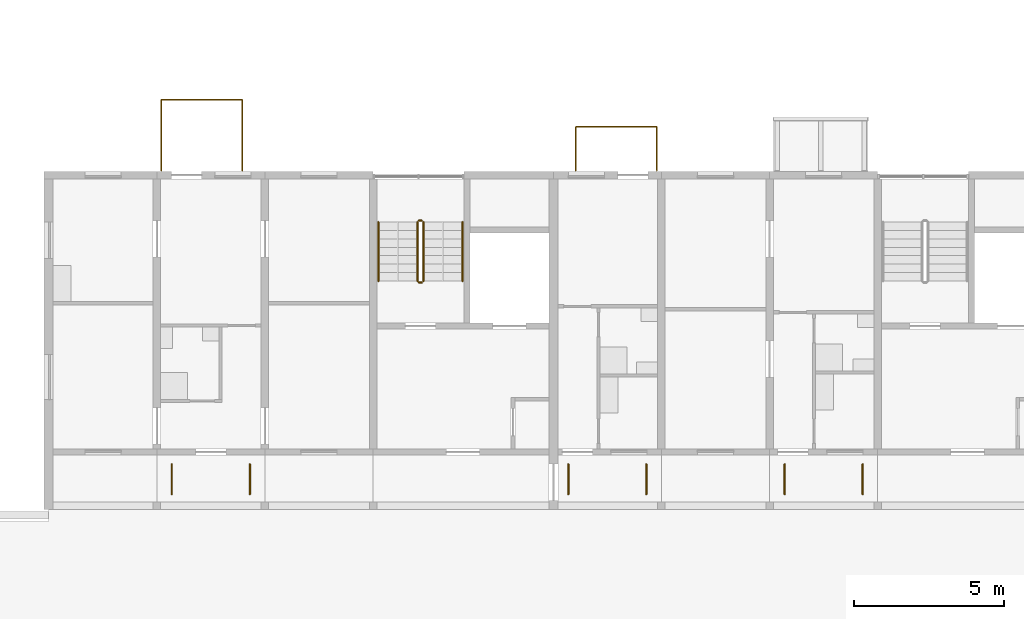
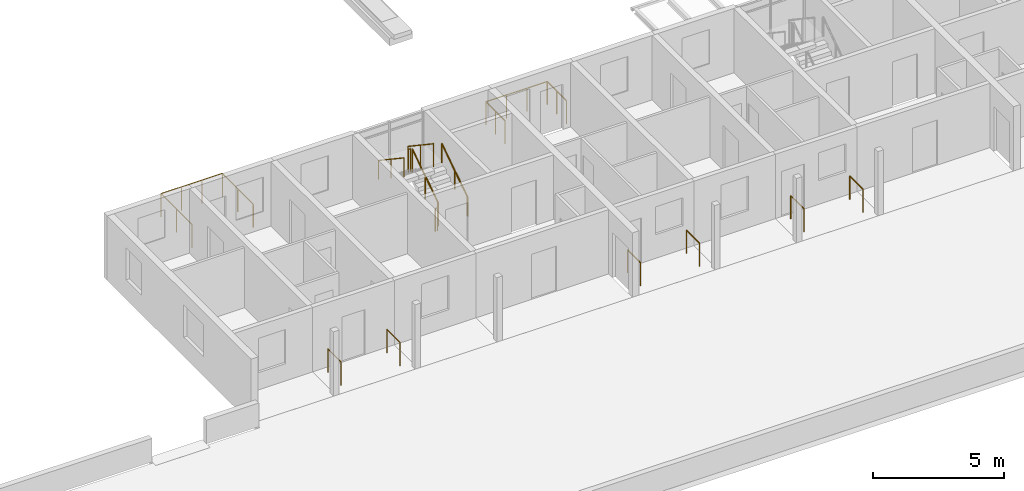
# One storey, part 93 of 115: 14 railings.
"""IFC4 building model written with IfcOpenShell, lengths in metres."""

from ifc_helpers import new_model, si_unit, direction, frame, origin, origin_2d, place, context, subcontext, project, spatial, circle, extrude, material, type_object, element, save


model = new_model("IFC4")

# Units and contexts
model_context = context("Model", 3, precision=1e-05, world=origin(), true_north=direction((0.0, 1.0)))
body_context = subcontext(model_context, "Body", "Model", "MODEL_VIEW")
ifc_project = project(units=[si_unit("LENGTHUNIT", "METRE"), si_unit("AREAUNIT", "SQUARE_METRE"), si_unit("VOLUMEUNIT", "CUBIC_METRE"), si_unit("PLANEANGLEUNIT", "RADIAN"), si_unit("MASSUNIT", "GRAM", prefix="KILO")], contexts=[model_context])

# Site, building, storey
site_placement = place(None, origin())
site = spatial("IfcSite", under=ifc_project, at=site_placement, CompositionType="ELEMENT")
building_placement = place(site_placement, origin())
building = spatial("IfcBuilding", under=site, at=building_placement, Name="Ridgestep Commons", CompositionType="ELEMENT")
storey_placement = place(building_placement, frame((0.0, 0.0, 6.0)))
storey = spatial("IfcBuildingStorey", under=building, at=storey_placement, Name="L02", CompositionType="ELEMENT", Elevation=6.0)

# Railings
ifc_material_1 = material(Name="Structural steel S355JR", Category="steel")
railing_type_1 = type_object("IfcRailingType", Name="Guard 1100", PredefinedType="GUARDRAIL", material=ifc_material_1)
for number, where, name in (
    (1, (16.10009765625, 12.25, 0.0), "Gallery side guard A 02.2W"),
    (2, (18.699951171875, 12.25, 0.0), "Gallery side guard A 02.2E"),
    (3, (29.300048828125, 12.25, 0.0), "Gallery side guard A 02.5W"),
    (4, (31.89990234375, 12.25, 0.0), "Gallery side guard A 02.5E"),
    (5, (36.5, 12.25, 0.0), "Gallery side guard A 02.7W"),
    (6, (39.10009765625, 12.25, 0.0), "Gallery side guard A 02.7E"),
):
    element("IfcRailing", number, at=place(storey_placement, frame(where)), inside=storey, type_object=railing_type_1, Name=name, PredefinedType="GUARDRAIL", context=body_context, shape_type="SweptSolid", body=[
        extrude(circle(Radius=0.02392578125, at=origin_2d()), frame((0.0, 0.0, 1.076171875), z_axis=(0.0, 1.0, 0.0), x_axis=(-1.0, 0.0, 0.0)), (0.0, 0.0, 1.0), 1.0),
        extrude(circle(Radius=0.02099609375, at=origin_2d()), origin(), (0.0, 0.0, 1.0), 1.052001953125),
        extrude(circle(Radius=0.02099609375, at=origin_2d()), frame((0.0, 1.0, 0.0)), (0.0, 0.0, 1.0), 1.052001953125),
    ])
ifc_material_2 = material(Name="Structural steel S355JR", Category="steel")
railing_type_2 = type_object("IfcRailingType", Name="Stair guard 1100", PredefinedType="GUARDRAIL", material=ifc_material_2)
railing_1_placement = place(storey_placement, frame((24.47509765625, 19.35009765625, 0.1875)))
element("IfcRailing", 7, at=railing_1_placement, inside=storey, type_object=railing_type_2, Name="L02 A1C stair guard 1", PredefinedType="GUARDRAIL", context=body_context, shape_type="SweptSolid", body=[
    extrude(circle(Radius=0.02392578125, at=origin_2d()), frame((0.0, 0.0, 1.076171875), z_axis=(0.0, 0.830902050051, 0.556418712142), x_axis=(-1.0, 0.0, 0.0)), (0.0, 0.0, 1.0), 2.35888671875),
    extrude(circle(Radius=0.02099609375, at=origin_2d()), origin(), (0.0, 0.0, 1.0), 1.052001953125),
    extrude(circle(Radius=0.02099609375, at=origin_2d()), frame((0.0, 0.97998046875, 0.65625)), (0.0, 0.0, 1.0), 1.052001953125),
    extrude(circle(Radius=0.02099609375, at=origin_2d()), frame((0.0, 1.9599609375, 1.3125)), (0.0, 0.0, 1.0), 1.052001953125),
])
railing_2_placement = place(storey_placement, frame((24.425048828125, 21.360107421875, 1.5)))
element("IfcRailing", 8, at=railing_2_placement, inside=storey, type_object=railing_type_2, Name="L02 A1C stair guard 2", PredefinedType="GUARDRAIL", context=body_context, shape_type="SweptSolid", body=[
    extrude(circle(Radius=0.02392578125, at=origin_2d()), frame((0.0, 0.0, 1.076171875), z_axis=(-1.0, 0.0, 0.0), x_axis=(0.0, -1.0, 0.0)), (0.0, 0.0, 1.0), 0.10009765625),
    extrude(circle(Radius=0.02099609375, at=origin_2d()), origin(), (0.0, 0.0, 1.0), 1.052001953125),
    extrude(circle(Radius=0.02099609375, at=origin_2d()), frame((-0.10009765625, 0.0, 0.0)), (0.0, 0.0, 1.0), 1.052001953125),
])
railing_3_placement = place(storey_placement, frame((24.27490234375, 21.31005859375, 1.6875)))
element("IfcRailing", 9, at=railing_3_placement, inside=storey, type_object=railing_type_2, Name="L02 A1C stair guard 3", PredefinedType="GUARDRAIL", context=body_context, shape_type="SweptSolid", body=[
    extrude(circle(Radius=0.02392578125, at=origin_2d()), frame((0.0, 0.0, 1.076171875), z_axis=(0.0, -0.830902050051, 0.556418712142), x_axis=(1.0, 0.0, 0.0)), (0.0, 0.0, 1.0), 2.35888671875),
    extrude(circle(Radius=0.02099609375, at=origin_2d()), origin(), (0.0, 0.0, 1.0), 1.052001953125),
    extrude(circle(Radius=0.02099609375, at=origin_2d()), frame((0.0, -0.97998046875, 0.65625)), (0.0, 0.0, 1.0), 1.052001953125),
    extrude(circle(Radius=0.02099609375, at=origin_2d()), frame((0.0, -1.9599609375, 1.3125)), (0.0, 0.0, 1.0), 1.052001953125),
])
railing_4_placement = place(storey_placement, frame((24.425048828125, 19.300048828125, 0.0)))
element("IfcRailing", 10, at=railing_4_placement, inside=storey, type_object=railing_type_2, Name="L02 A1C stair guard 4", PredefinedType="GUARDRAIL", context=body_context, shape_type="SweptSolid", body=[
    extrude(circle(Radius=0.02392578125, at=origin_2d()), frame((0.0, 0.0, 1.076171875), z_axis=(-1.0, 0.0, 0.0), x_axis=(0.0, -1.0, 0.0)), (0.0, 0.0, 1.0), 0.10009765625),
    extrude(circle(Radius=0.02099609375, at=origin_2d()), origin(), (0.0, 0.0, 1.0), 1.052001953125),
    extrude(circle(Radius=0.02099609375, at=origin_2d()), frame((-0.10009765625, 0.0, 0.0)), (0.0, 0.0, 1.0), 1.052001953125),
])
ifc_material_3 = material(Name="Structural steel S355JR", Category="steel")
railing_type_3 = type_object("IfcRailingType", Name="Stair handrail 900", PredefinedType="HANDRAIL", material=ifc_material_3)
railing_5_placement = place(storey_placement, frame((25.77490234375, 19.35009765625, 0.1875)))
element("IfcRailing", 11, at=railing_5_placement, inside=storey, type_object=railing_type_3, Name="L02 A1C stair handrail 1", PredefinedType="HANDRAIL", context=body_context, shape_type="SweptSolid", body=[
    extrude(circle(Radius=0.02392578125, at=origin_2d()), frame((0.0, 0.0, 0.8759765625), z_axis=(0.0, 0.830902050051, 0.556418712142), x_axis=(-1.0, 0.0, 0.0)), (0.0, 0.0, 1.0), 2.35888671875),
    extrude(circle(Radius=0.02099609375, at=origin_2d()), origin(), (0.0, 0.0, 1.0), 0.851806640625),
    extrude(circle(Radius=0.02099609375, at=origin_2d()), frame((0.0, 0.97998046875, 0.65625)), (0.0, 0.0, 1.0), 0.851806640625),
    extrude(circle(Radius=0.02099609375, at=origin_2d()), frame((0.0, 1.9599609375, 1.3125)), (0.0, 0.0, 1.0), 0.851806640625),
])
railing_6_placement = place(storey_placement, frame((22.97509765625, 21.31005859375, 1.6875)))
element("IfcRailing", 12, at=railing_6_placement, inside=storey, type_object=railing_type_3, Name="L02 A1C stair handrail 2", PredefinedType="HANDRAIL", context=body_context, shape_type="SweptSolid", body=[
    extrude(circle(Radius=0.02392578125, at=origin_2d()), frame((0.0, 0.0, 0.8759765625), z_axis=(0.0, -0.830902050051, 0.556418712142), x_axis=(1.0, 0.0, 0.0)), (0.0, 0.0, 1.0), 2.35888671875),
    extrude(circle(Radius=0.02099609375, at=origin_2d()), origin(), (0.0, 0.0, 1.0), 0.851806640625),
    extrude(circle(Radius=0.02099609375, at=origin_2d()), frame((0.0, -0.97998046875, 0.65625)), (0.0, 0.0, 1.0), 0.851806640625),
    extrude(circle(Radius=0.02099609375, at=origin_2d()), frame((0.0, -1.9599609375, 1.3125)), (0.0, 0.0, 1.0), 0.851806640625),
])
ifc_material_4 = material(Name="Weathering steel S355J2W", Category="steel")
railing_type_4 = type_object("IfcRailingType", Name="Tray guard 1100", PredefinedType="GUARDRAIL", material=ifc_material_4)
railing_7_placement = place(storey_placement, frame((15.7509765625, 23.02099609375, 0.0)))
element("IfcRailing", 13, at=railing_7_placement, inside=storey, type_object=railing_type_4, Name="Tray guard A1T2-02", PredefinedType="GUARDRAIL", context=body_context, shape_type="SweptSolid", body=[
    extrude(circle(Radius=0.02392578125, at=origin_2d()), frame((0.0, 0.0, 1.076171875), z_axis=(0.0, 1.0, 0.0), x_axis=(-1.0, 0.0, 0.0)), (0.0, 0.0, 1.0), 2.35791015625),
    extrude(circle(Radius=0.02392578125, at=origin_2d()), frame((0.0, 2.35791015625, 1.076171875), z_axis=(1.0, 0.0, 0.0), x_axis=(0.0, 1.0, 0.0)), (0.0, 0.0, 1.0), 2.697998046875),
    extrude(circle(Radius=0.02392578125, at=origin_2d()), frame((2.697998046875, 2.35791015625, 1.076171875), z_axis=(0.0, -1.0, 0.0), x_axis=(1.0, 0.0, 0.0)), (0.0, 0.0, 1.0), 2.35791015625),
    extrude(circle(Radius=0.02099609375, at=origin_2d()), origin(), (0.0, 0.0, 1.0), 1.052001953125),
    extrude(circle(Radius=0.02099609375, at=origin_2d()), frame((0.0, 1.178955078125, 0.0)), (0.0, 0.0, 1.0), 1.052001953125),
    extrude(circle(Radius=0.02099609375, at=origin_2d()), frame((0.0, 2.35791015625, 0.0)), (0.0, 0.0, 1.0), 1.052001953125),
    extrude(circle(Radius=0.02099609375, at=origin_2d()), frame((0.8994140625, 2.35791015625, 0.0)), (0.0, 0.0, 1.0), 1.052001953125),
    extrude(circle(Radius=0.02099609375, at=origin_2d()), frame((1.798583984375, 2.35791015625, 0.0)), (0.0, 0.0, 1.0), 1.052001953125),
    extrude(circle(Radius=0.02099609375, at=origin_2d()), frame((2.697998046875, 2.35791015625, 0.0)), (0.0, 0.0, 1.0), 1.052001953125),
    extrude(circle(Radius=0.02099609375, at=origin_2d()), frame((2.697998046875, 1.178955078125, 0.0)), (0.0, 0.0, 1.0), 1.052001953125),
    extrude(circle(Radius=0.02099609375, at=origin_2d()), frame((2.697998046875, 0.0, 0.0)), (0.0, 0.0, 1.0), 1.052001953125),
])
railing_8_placement = place(storey_placement, frame((29.551025390625, 23.02099609375, 0.0)))
element("IfcRailing", 14, at=railing_8_placement, inside=storey, type_object=railing_type_4, Name="Tray guard A2T1-02", PredefinedType="GUARDRAIL", context=body_context, shape_type="SweptSolid", body=[
    extrude(circle(Radius=0.02392578125, at=origin_2d()), frame((0.0, 0.0, 1.076171875), z_axis=(0.0, 1.0, 0.0), x_axis=(-1.0, 0.0, 0.0)), (0.0, 0.0, 1.0), 1.4580078125),
    extrude(circle(Radius=0.02392578125, at=origin_2d()), frame((0.0, 1.4580078125, 1.076171875), z_axis=(1.0, 0.0, 0.0), x_axis=(0.0, 1.0, 0.0)), (0.0, 0.0, 1.0), 2.697998046875),
    extrude(circle(Radius=0.02392578125, at=origin_2d()), frame((2.697998046875, 1.4580078125, 1.076171875), z_axis=(0.0, -1.0, 0.0), x_axis=(1.0, 0.0, 0.0)), (0.0, 0.0, 1.0), 1.4580078125),
    extrude(circle(Radius=0.02099609375, at=origin_2d()), origin(), (0.0, 0.0, 1.0), 1.052001953125),
    extrude(circle(Radius=0.02099609375, at=origin_2d()), frame((0.0, 0.72900390625, 0.0)), (0.0, 0.0, 1.0), 1.052001953125),
    extrude(circle(Radius=0.02099609375, at=origin_2d()), frame((0.0, 1.4580078125, 0.0)), (0.0, 0.0, 1.0), 1.052001953125),
    extrude(circle(Radius=0.02099609375, at=origin_2d()), frame((0.8994140625, 1.4580078125, 0.0)), (0.0, 0.0, 1.0), 1.052001953125),
    extrude(circle(Radius=0.02099609375, at=origin_2d()), frame((1.798583984375, 1.4580078125, 0.0)), (0.0, 0.0, 1.0), 1.052001953125),
    extrude(circle(Radius=0.02099609375, at=origin_2d()), frame((2.697998046875, 1.4580078125, 0.0)), (0.0, 0.0, 1.0), 1.052001953125),
    extrude(circle(Radius=0.02099609375, at=origin_2d()), frame((2.697998046875, 0.72900390625, 0.0)), (0.0, 0.0, 1.0), 1.052001953125),
    extrude(circle(Radius=0.02099609375, at=origin_2d()), frame((2.697998046875, 0.0, 0.0)), (0.0, 0.0, 1.0), 1.052001953125),
])

save(model, "model.ifc")
